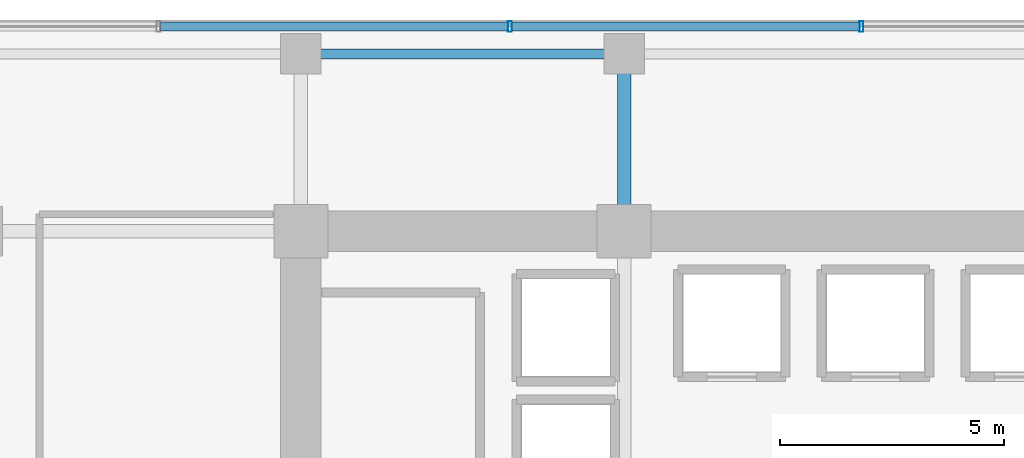
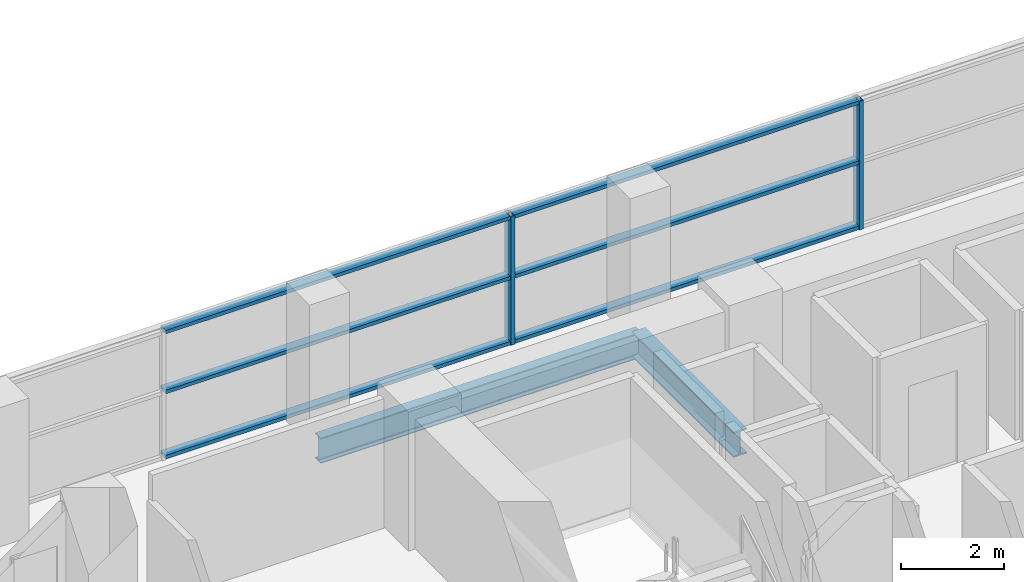
# One storey, part 19 of 32: 8 members, 2 beams, 1 element without a shape of its own.
"""IFC4 building model written with IfcOpenShell, lengths in metres."""

from ifc_helpers import new_model, si_unit, direction, frame, origin, origin_2d, place, context, subcontext, project, spatial, hollow_rectangle, i_section, extrude, source, transform, mapped, material, layer, layer_set, material_profile, profile_set, type_object, element, aggregate, save


model = new_model("IFC4")

# Units and contexts
model_context = context("Model", 3, precision=1e-05, world=origin(), true_north=direction((0.0, 1.0)))
body_context = subcontext(model_context, "Body", "Model", "MODEL_VIEW")
ifc_project = project(units=[si_unit("LENGTHUNIT", "METRE"), si_unit("AREAUNIT", "SQUARE_METRE"), si_unit("VOLUMEUNIT", "CUBIC_METRE"), si_unit("PLANEANGLEUNIT", "RADIAN"), si_unit("MASSUNIT", "GRAM", prefix="KILO")], contexts=[model_context])

# Site, building, storey
site_placement = place(None, origin())
site = spatial("IfcSite", under=ifc_project, at=site_placement, CompositionType="ELEMENT")
building_placement = place(site_placement, origin())
building = spatial("IfcBuilding", under=site, at=building_placement, Name="Zarnakvel Exchange Tower", CompositionType="ELEMENT")
storey_placement = place(building_placement, frame((0.0, 0.0, 73.60009765625)))
storey = spatial("IfcBuildingStorey", under=building, at=storey_placement, Name="L20", CompositionType="ELEMENT", Elevation=73.60009765625)

# Beams
ifc_material_1 = material(Name="Steel S355", Category="steel")
ifc_material_profile_1 = material_profile(ifc_material_1, i_section(OverallWidth=0.300048828125, OverallDepth=0.60009765625, WebThickness=0.015380859375, FlangeThickness=0.030029296875, FilletRadius=0.027099609375, at=origin_2d()))
ifc_profile_set_1 = profile_set([ifc_material_profile_1], Name="Steel S355")
beam_type_1 = type_object("IfcBeamType", Name="G-04", PredefinedType="BEAM", material=ifc_profile_set_1)
beam_1_placement = place(storey_placement, frame((-7.199951171875, 13.5, -0.525146484375), z_axis=(0.0, 1.0, 0.0), x_axis=(-1.0, 0.0, 0.0)))
element("IfcBeam", 1, at=beam_1_placement, inside=storey, type_object=beam_type_1, Name="L20 Tower N-S Frame Beam", PredefinedType="BEAM", context=body_context, shape_type="SweptSolid", body=[
    extrude(i_section(OverallWidth=0.300048828125, OverallDepth=0.60009765625, WebThickness=0.015380859375, FlangeThickness=0.030029296875, FilletRadius=0.027099609375, at=origin_2d()), origin(), (0.0, 0.0, 1.0), 3.949951171875),
])
ifc_material_profile_2 = material_profile(ifc_material_1, i_section(OverallWidth=0.219970703125, OverallDepth=0.60009765625, WebThickness=0.011962890625, FlangeThickness=0.01904296875, FilletRadius=0.02392578125, at=origin_2d()))
ifc_profile_set_2 = profile_set([ifc_material_profile_2], Name="Steel S355")
beam_type_2 = type_object("IfcBeamType", Name="SP-01", PredefinedType="SPANDREL", material=ifc_profile_set_2)
beam_2_placement = place(storey_placement, frame((-14.39990234375, 17.449951171875, -0.525146484375), z_axis=(1.0, 0.0, 0.0), x_axis=(0.0, 1.0, 0.0)))
element("IfcBeam", 2, at=beam_2_placement, inside=storey, type_object=beam_type_2, Name="L20 Tower E-W Frame Beam", PredefinedType="SPANDREL", context=body_context, shape_type="SweptSolid", body=[
    extrude(i_section(OverallWidth=0.219970703125, OverallDepth=0.60009765625, WebThickness=0.011962890625, FlangeThickness=0.01904296875, FilletRadius=0.02392578125, at=origin_2d()), origin(), (0.0, 0.0, 1.0), 7.199951171875),
])

# Curtain wall, members
ifc_material_2 = material(Name="Architectural Bronze Anodised Aluminium", Category="aluminium")
ifc_layer = layer(ifc_material_2, 0.239990234375)
ifc_layer_set = layer_set([ifc_layer], Name="Architectural Bronze Anodised Aluminium")
curtain_wall_type = type_object("IfcCurtainWallType", Name="CW-02", PredefinedType="NOTDEFINED", material=ifc_layer_set)
curtain_wall_placement = place(storey_placement, origin())
curtain_wall = element("IfcCurtainWall", 3, at=curtain_wall_placement, inside=storey, type_object=curtain_wall_type, Name="L20 Curtain Wall CW-L20-N1 (CW-02)", PredefinedType="NOTDEFINED")
ifc_material_profile_3 = material_profile(ifc_material_2, hollow_rectangle(XDim=0.199951171875, YDim=0.0849609375, WallThickness=0.0048828125, at=origin_2d()))
ifc_profile_set_3 = profile_set([ifc_material_profile_3], Name="Architectural Bronze Anodised Aluminium")
member_type_1 = type_object("IfcMemberType", Name="CWT-02", PredefinedType="USERDEFINED", material=ifc_profile_set_3)
shared_shape_1 = source(origin(), body_context, "Body", "SweptSolid", [
    extrude(hollow_rectangle(XDim=0.199951171875, YDim=0.0849609375, WallThickness=0.0048828125, at=origin_2d()), origin(), (0.0, 0.0, 1.0), 7.738525390625),
])
member_1_placement = place(storey_placement, frame((-17.5263671875, 18.06005859375, 0.04248046875), z_axis=(1.0, 0.0, 0.0), x_axis=(0.0, 1.0, 0.0)))
member_1 = element("IfcMember", 4, at=member_1_placement, type_object=member_type_1, Name="CW-02 transom 2.1", ObjectType="TRANSOM", PredefinedType="USERDEFINED", context=body_context, shape_type="MappedRepresentation", body=[
    mapped(shared_shape_1, transform((0.0, 0.0, 0.0), x_axis=(1.0, 0.0, 0.0), y_axis=(0.0, 1.0, 0.0), z_axis=(0.0, 0.0, 1.0), scale=1.0)),
])
member_2_placement = place(storey_placement, frame((-17.5263671875, 18.06005859375, 1.588623046875), z_axis=(1.0, 0.0, 0.0), x_axis=(0.0, 1.0, 0.0)))
member_2 = element("IfcMember", 5, at=member_2_placement, type_object=member_type_1, Name="CW-02 transom 2.2", ObjectType="TRANSOM", PredefinedType="USERDEFINED", context=body_context, shape_type="MappedRepresentation", body=[
    mapped(shared_shape_1, transform((0.0, 0.0, 0.0), x_axis=(1.0, 0.0, 0.0), y_axis=(0.0, 1.0, 0.0), z_axis=(0.0, 0.0, 1.0), scale=1.0)),
])
member_3_placement = place(storey_placement, frame((-17.5263671875, 18.06005859375, 3.012451171875), z_axis=(1.0, 0.0, 0.0), x_axis=(0.0, 1.0, 0.0)))
member_3 = element("IfcMember", 6, at=member_3_placement, type_object=member_type_1, Name="CW-02 transom 2.3", ObjectType="TRANSOM", PredefinedType="USERDEFINED", context=body_context, shape_type="MappedRepresentation", body=[
    mapped(shared_shape_1, transform((0.0, 0.0, 0.0), x_axis=(1.0, 0.0, 0.0), y_axis=(0.0, 1.0, 0.0), z_axis=(0.0, 0.0, 1.0), scale=1.0)),
])
member_4_placement = place(storey_placement, frame((-9.69775390625, 18.06005859375, 0.04248046875), z_axis=(1.0, 0.0, 0.0), x_axis=(0.0, 1.0, 0.0)))
member_4 = element("IfcMember", 7, at=member_4_placement, type_object=member_type_1, Name="CW-02 transom 3.1", ObjectType="TRANSOM", PredefinedType="USERDEFINED", context=body_context, shape_type="MappedRepresentation", body=[
    mapped(shared_shape_1, transform((0.0, 0.0, 0.0), x_axis=(1.0, 0.0, 0.0), y_axis=(0.0, 1.0, 0.0), z_axis=(0.0, 0.0, 1.0), scale=1.0)),
])
member_5_placement = place(storey_placement, frame((-9.69775390625, 18.06005859375, 1.588623046875), z_axis=(1.0, 0.0, 0.0), x_axis=(0.0, 1.0, 0.0)))
member_5 = element("IfcMember", 8, at=member_5_placement, type_object=member_type_1, Name="CW-02 transom 3.2", ObjectType="TRANSOM", PredefinedType="USERDEFINED", context=body_context, shape_type="MappedRepresentation", body=[
    mapped(shared_shape_1, transform((0.0, 0.0, 0.0), x_axis=(1.0, 0.0, 0.0), y_axis=(0.0, 1.0, 0.0), z_axis=(0.0, 0.0, 1.0), scale=1.0)),
])
member_6_placement = place(storey_placement, frame((-9.69775390625, 18.06005859375, 3.012451171875), z_axis=(1.0, 0.0, 0.0), x_axis=(0.0, 1.0, 0.0)))
member_6 = element("IfcMember", 9, at=member_6_placement, type_object=member_type_1, Name="CW-02 transom 3.3", ObjectType="TRANSOM", PredefinedType="USERDEFINED", context=body_context, shape_type="MappedRepresentation", body=[
    mapped(shared_shape_1, transform((0.0, 0.0, 0.0), x_axis=(1.0, 0.0, 0.0), y_axis=(0.0, 1.0, 0.0), z_axis=(0.0, 0.0, 1.0), scale=1.0)),
])
ifc_material_profile_4 = material_profile(ifc_material_2, hollow_rectangle(XDim=0.239990234375, YDim=0.090087890625, WallThickness=0.006103515625, at=origin_2d()))
ifc_profile_set_4 = profile_set([ifc_material_profile_4], Name="Architectural Bronze Anodised Aluminium")
member_type_2 = type_object("IfcMemberType", Name="CWM-02", PredefinedType="MULLION", material=ifc_profile_set_4)
shared_shape_2 = source(origin(), body_context, "Body", "SweptSolid", [
    extrude(hollow_rectangle(XDim=0.239990234375, YDim=0.090087890625, WallThickness=0.006103515625, at=origin_2d()), origin(), (0.0, 0.0, 1.0), 3.054931640625),
])
member_7_placement = place(storey_placement, frame((-9.742919921875, 18.06005859375, 0.0), z_axis=(0.0, 0.0, 1.0), x_axis=(0.0, 1.0, 0.0)))
member_7 = element("IfcMember", 10, at=member_7_placement, type_object=member_type_2, Name="CW-02 mullion 3", PredefinedType="MULLION", context=body_context, shape_type="MappedRepresentation", body=[
    mapped(shared_shape_2, transform((0.0, 0.0, 0.0), x_axis=(1.0, 0.0, 0.0), y_axis=(0.0, 1.0, 0.0), z_axis=(0.0, 0.0, 1.0), scale=1.0)),
])
member_8_placement = place(storey_placement, frame((-1.914306640625, 18.06005859375, 0.0), z_axis=(0.0, 0.0, 1.0), x_axis=(0.0, 1.0, 0.0)))
member_8 = element("IfcMember", 11, at=member_8_placement, type_object=member_type_2, Name="CW-02 mullion 4", PredefinedType="MULLION", context=body_context, shape_type="MappedRepresentation", body=[
    mapped(shared_shape_2, transform((0.0, 0.0, 0.0), x_axis=(1.0, 0.0, 0.0), y_axis=(0.0, 1.0, 0.0), z_axis=(0.0, 0.0, 1.0), scale=1.0)),
])
aggregate(curtain_wall, [member_7, member_8, member_1, member_2, member_3, member_4, member_5, member_6])

save(model, "model.ifc")
